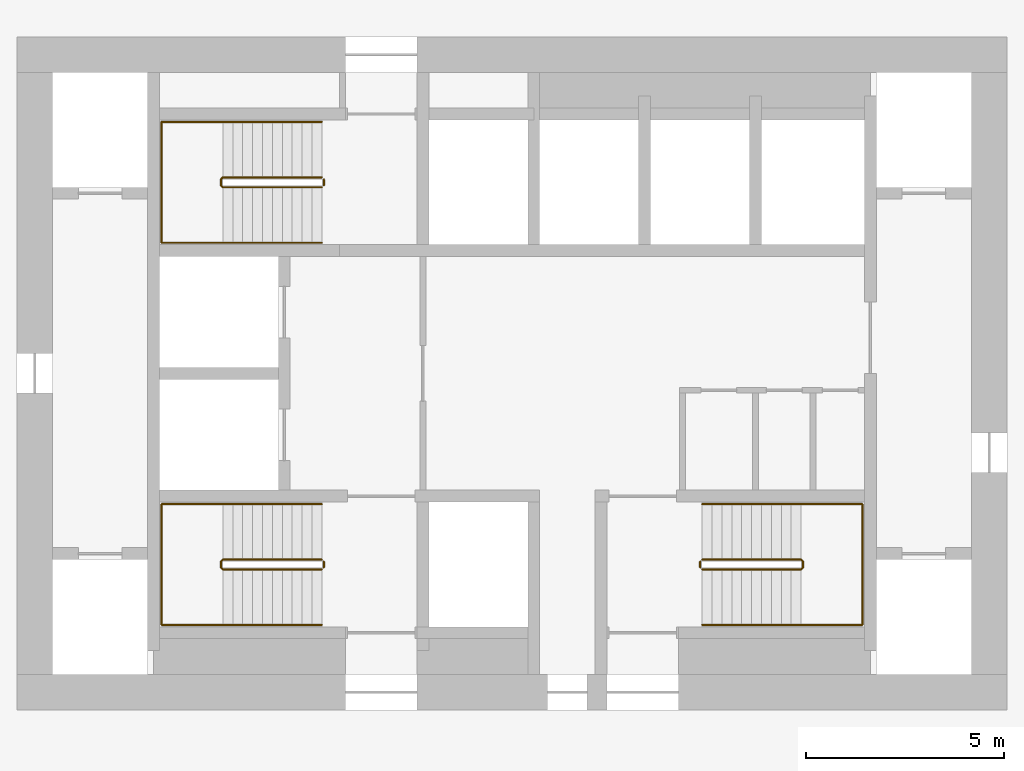
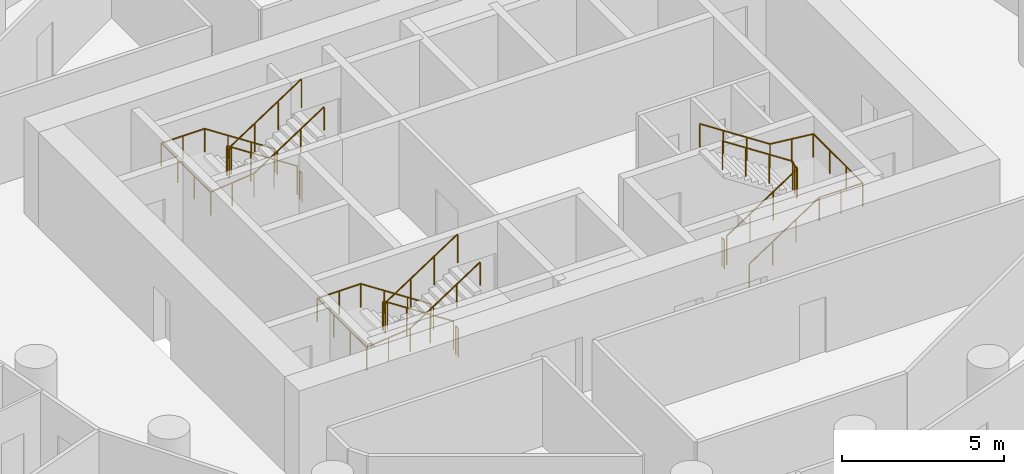
# One storey, part 10 of 10: 9 railings.
"""IFC4 building model written with IfcOpenShell, lengths in metres."""

from ifc_helpers import new_model, si_unit, direction, frame, origin, origin_2d, place, context, subcontext, project, spatial, circle, extrude, material, type_object, element, save


model = new_model("IFC4")

# Units and contexts
model_context = context("Model", 3, precision=1e-05, world=origin(), true_north=direction((0.0, 1.0)))
body_context = subcontext(model_context, "Body", "Model", "MODEL_VIEW")
ifc_project = project(units=[si_unit("LENGTHUNIT", "METRE"), si_unit("AREAUNIT", "SQUARE_METRE"), si_unit("VOLUMEUNIT", "CUBIC_METRE"), si_unit("PLANEANGLEUNIT", "RADIAN"), si_unit("MASSUNIT", "GRAM", prefix="KILO")], contexts=[model_context])

# Site, building, storey
site_placement = place(None, origin())
site = spatial("IfcSite", under=ifc_project, at=site_placement, CompositionType="ELEMENT")
building_placement = place(site_placement, origin())
building = spatial("IfcBuilding", under=site, at=building_placement, Name="Tracery Tower", CompositionType="ELEMENT")
storey_placement = place(building_placement, frame((0.0, 0.0, 140.39990234375)))
storey = spatial("IfcBuildingStorey", under=building, at=storey_placement, Name="L35", CompositionType="ELEMENT", Elevation=140.39990234375)

# Railings
ifc_material_1 = material(Name="Stainless steel and laminated glass", Category="steel")
railing_type_1 = type_object("IfcRailingType", Name="Stair guard 1100", PredefinedType="GUARDRAIL", material=ifc_material_1)
railing_1_placement = place(storey_placement, frame((-4.800048828125, -4.699951171875, 0.163818359375)))
element("IfcRailing", 1, at=railing_1_placement, inside=storey, type_object=railing_type_1, Name="L35 stair ST1 guard 1", PredefinedType="GUARDRAIL", context=body_context, shape_type="SweptSolid", body=[
    extrude(circle(Radius=0.02392578125, at=origin_2d()), frame((0.0, 0.0, 1.076171875), z_axis=(-0.836721939367, 0.0, 0.547627972425), x_axis=(0.0, -1.0, 0.0)), (0.0, 0.0, 1.0), 2.98779296875),
    extrude(circle(Radius=0.02392578125, at=origin_2d()), frame((-2.5, 0.0, 2.71240234375), z_axis=(-0.707106781187, -0.707106781187, 0.0), x_axis=(0.707106781187, -0.707106781187, 0.0)), (0.0, 0.0, 1.0), 0.07080078125),
    extrude(circle(Radius=0.02392578125, at=origin_2d()), frame((-2.550048828125, -0.050048828125, 2.71240234375), z_axis=(0.0, -1.0, 0.0), x_axis=(1.0, 0.0, 0.0)), (0.0, 0.0, 1.0), 0.14990234375),
    extrude(circle(Radius=0.02392578125, at=origin_2d()), frame((-2.550048828125, -0.199951171875, 2.71240234375), z_axis=(0.280808744504, -0.280808744504, 0.917765164963), x_axis=(0.707106781187, 0.707106781187, 0.0)), (0.0, 0.0, 1.0), 0.17822265625),
    extrude(circle(Radius=0.02392578125, at=origin_2d()), frame((-2.5, -0.25, 2.8759765625), z_axis=(0.83668449804, 0.0, 0.54768517484), x_axis=(0.0, 1.0, 0.0)), (0.0, 0.0, 1.0), 2.988037109375),
    extrude(circle(Radius=0.02099609375, at=origin_2d()), origin(), (0.0, 0.0, 1.0), 1.052001953125),
    extrude(circle(Radius=0.02099609375, at=origin_2d()), frame((-0.833251953125, 0.0, 0.54541015625)), (0.0, 0.0, 1.0), 1.052001953125),
    extrude(circle(Radius=0.02099609375, at=origin_2d()), frame((-1.666748046875, 0.0, 1.0908203125)), (0.0, 0.0, 1.0), 1.052001953125),
    extrude(circle(Radius=0.02099609375, at=origin_2d()), frame((-2.5, 0.0, 1.63623046875)), (0.0, 0.0, 1.0), 1.052001953125),
    extrude(circle(Radius=0.02099609375, at=origin_2d()), frame((-2.550048828125, -0.050048828125, 1.63623046875)), (0.0, 0.0, 1.0), 1.052001953125),
    extrude(circle(Radius=0.02099609375, at=origin_2d()), frame((-2.550048828125, -0.199951171875, 1.63623046875)), (0.0, 0.0, 1.0), 1.052001953125),
    extrude(circle(Radius=0.02099609375, at=origin_2d()), frame((-2.5, -0.25, 1.7998046875)), (0.0, 0.0, 1.0), 1.052001953125),
    extrude(circle(Radius=0.02099609375, at=origin_2d()), frame((-1.666748046875, -0.25, 2.34521484375)), (0.0, 0.0, 1.0), 1.052001953125),
    extrude(circle(Radius=0.02099609375, at=origin_2d()), frame((-0.833251953125, -0.25, 2.890869140625)), (0.0, 0.0, 1.0), 1.052001953125),
    extrude(circle(Radius=0.02099609375, at=origin_2d()), frame((0.0, -0.25, 3.436279296875)), (0.0, 0.0, 1.0), 1.052001953125),
])
railing_2_placement = place(storey_placement, frame((-4.75, -4.75, 0.0)))
element("IfcRailing", 2, at=railing_2_placement, inside=storey, type_object=railing_type_1, Name="L35 stair ST1 guard 2", PredefinedType="GUARDRAIL", context=body_context, shape_type="SweptSolid", body=[
    extrude(circle(Radius=0.02392578125, at=origin_2d()), frame((0.0, 0.0, 1.076171875), z_axis=(0.0, -1.0, 0.0), x_axis=(1.0, 0.0, 0.0)), (0.0, 0.0, 1.0), 0.14990234375),
    extrude(circle(Radius=0.02099609375, at=origin_2d()), origin(), (0.0, 0.0, 1.0), 1.052001953125),
    extrude(circle(Radius=0.02099609375, at=origin_2d()), frame((0.0, -0.14990234375, 0.0)), (0.0, 0.0, 1.0), 1.052001953125),
])
railing_3_placement = place(storey_placement, frame((-4.800048828125, 4.949951171875, 0.163818359375)))
element("IfcRailing", 3, at=railing_3_placement, inside=storey, type_object=railing_type_1, Name="L35 stair ST3 guard 1", PredefinedType="GUARDRAIL", context=body_context, shape_type="SweptSolid", body=[
    extrude(circle(Radius=0.02392578125, at=origin_2d()), frame((0.0, 0.0, 1.076171875), z_axis=(-0.836721939367, 0.0, 0.547627972425), x_axis=(0.0, -1.0, 0.0)), (0.0, 0.0, 1.0), 2.98779296875),
    extrude(circle(Radius=0.02392578125, at=origin_2d()), frame((-2.5, 0.0, 2.71240234375), z_axis=(-0.707106781187, -0.707106781187, 0.0), x_axis=(0.707106781187, -0.707106781187, 0.0)), (0.0, 0.0, 1.0), 0.07080078125),
    extrude(circle(Radius=0.02392578125, at=origin_2d()), frame((-2.550048828125, -0.050048828125, 2.71240234375), z_axis=(0.0, -1.0, 0.0), x_axis=(1.0, 0.0, 0.0)), (0.0, 0.0, 1.0), 0.14990234375),
    extrude(circle(Radius=0.02392578125, at=origin_2d()), frame((-2.550048828125, -0.199951171875, 2.71240234375), z_axis=(0.280808744504, -0.280808744504, 0.917765164963), x_axis=(0.707106781187, 0.707106781187, 0.0)), (0.0, 0.0, 1.0), 0.17822265625),
    extrude(circle(Radius=0.02392578125, at=origin_2d()), frame((-2.5, -0.25, 2.8759765625), z_axis=(0.83668449804, 0.0, 0.54768517484), x_axis=(0.0, 1.0, 0.0)), (0.0, 0.0, 1.0), 2.988037109375),
    extrude(circle(Radius=0.02099609375, at=origin_2d()), origin(), (0.0, 0.0, 1.0), 1.052001953125),
    extrude(circle(Radius=0.02099609375, at=origin_2d()), frame((-0.833251953125, 0.0, 0.54541015625)), (0.0, 0.0, 1.0), 1.052001953125),
    extrude(circle(Radius=0.02099609375, at=origin_2d()), frame((-1.666748046875, 0.0, 1.0908203125)), (0.0, 0.0, 1.0), 1.052001953125),
    extrude(circle(Radius=0.02099609375, at=origin_2d()), frame((-2.5, 0.0, 1.63623046875)), (0.0, 0.0, 1.0), 1.052001953125),
    extrude(circle(Radius=0.02099609375, at=origin_2d()), frame((-2.550048828125, -0.050048828125, 1.63623046875)), (0.0, 0.0, 1.0), 1.052001953125),
    extrude(circle(Radius=0.02099609375, at=origin_2d()), frame((-2.550048828125, -0.199951171875, 1.63623046875)), (0.0, 0.0, 1.0), 1.052001953125),
    extrude(circle(Radius=0.02099609375, at=origin_2d()), frame((-2.5, -0.25, 1.7998046875)), (0.0, 0.0, 1.0), 1.052001953125),
    extrude(circle(Radius=0.02099609375, at=origin_2d()), frame((-1.666748046875, -0.25, 2.34521484375)), (0.0, 0.0, 1.0), 1.052001953125),
    extrude(circle(Radius=0.02099609375, at=origin_2d()), frame((-0.833251953125, -0.25, 2.890869140625)), (0.0, 0.0, 1.0), 1.052001953125),
    extrude(circle(Radius=0.02099609375, at=origin_2d()), frame((0.0, -0.25, 3.436279296875)), (0.0, 0.0, 1.0), 1.052001953125),
])
railing_4_placement = place(storey_placement, frame((-4.75, 4.89990234375, 0.0)))
element("IfcRailing", 4, at=railing_4_placement, inside=storey, type_object=railing_type_1, Name="L35 stair ST3 guard 2", PredefinedType="GUARDRAIL", context=body_context, shape_type="SweptSolid", body=[
    extrude(circle(Radius=0.02392578125, at=origin_2d()), frame((0.0, 0.0, 1.076171875), z_axis=(0.0, -1.0, 0.0), x_axis=(1.0, 0.0, 0.0)), (0.0, 0.0, 1.0), 0.14990234375),
    extrude(circle(Radius=0.02099609375, at=origin_2d()), origin(), (0.0, 0.0, 1.0), 1.052001953125),
    extrude(circle(Radius=0.02099609375, at=origin_2d()), frame((0.0, -0.14990234375, 0.0)), (0.0, 0.0, 1.0), 1.052001953125),
])
railing_5_placement = place(storey_placement, frame((4.800048828125, -4.949951171875, 0.163818359375)))
element("IfcRailing", 5, at=railing_5_placement, inside=storey, type_object=railing_type_1, Name="L35 stair ST2 guard 1", PredefinedType="GUARDRAIL", context=body_context, shape_type="SweptSolid", body=[
    extrude(circle(Radius=0.02392578125, at=origin_2d()), frame((0.0, 0.0, 1.076171875), z_axis=(0.836721939367, 0.0, 0.547627972425), x_axis=(0.0, 1.0, 0.0)), (0.0, 0.0, 1.0), 2.98779296875),
    extrude(circle(Radius=0.02392578125, at=origin_2d()), frame((2.5, 0.0, 2.71240234375), z_axis=(0.707106781187, 0.707106781187, 0.0), x_axis=(-0.707106781187, 0.707106781187, 0.0)), (0.0, 0.0, 1.0), 0.07080078125),
    extrude(circle(Radius=0.02392578125, at=origin_2d()), frame((2.550048828125, 0.050048828125, 2.71240234375), z_axis=(0.0, 1.0, 0.0), x_axis=(-1.0, 0.0, 0.0)), (0.0, 0.0, 1.0), 0.14990234375),
    extrude(circle(Radius=0.02392578125, at=origin_2d()), frame((2.550048828125, 0.199951171875, 2.71240234375), z_axis=(-0.280808744504, 0.280808744504, 0.917765164963), x_axis=(-0.707106781187, -0.707106781187, 0.0)), (0.0, 0.0, 1.0), 0.17822265625),
    extrude(circle(Radius=0.02392578125, at=origin_2d()), frame((2.5, 0.25, 2.8759765625), z_axis=(-0.83668449804, 0.0, 0.54768517484), x_axis=(0.0, -1.0, 0.0)), (0.0, 0.0, 1.0), 2.988037109375),
    extrude(circle(Radius=0.02099609375, at=origin_2d()), origin(), (0.0, 0.0, 1.0), 1.052001953125),
    extrude(circle(Radius=0.02099609375, at=origin_2d()), frame((0.833251953125, 0.0, 0.54541015625)), (0.0, 0.0, 1.0), 1.052001953125),
    extrude(circle(Radius=0.02099609375, at=origin_2d()), frame((1.666748046875, 0.0, 1.0908203125)), (0.0, 0.0, 1.0), 1.052001953125),
    extrude(circle(Radius=0.02099609375, at=origin_2d()), frame((2.5, 0.0, 1.63623046875)), (0.0, 0.0, 1.0), 1.052001953125),
    extrude(circle(Radius=0.02099609375, at=origin_2d()), frame((2.550048828125, 0.050048828125, 1.63623046875)), (0.0, 0.0, 1.0), 1.052001953125),
    extrude(circle(Radius=0.02099609375, at=origin_2d()), frame((2.550048828125, 0.199951171875, 1.63623046875)), (0.0, 0.0, 1.0), 1.052001953125),
    extrude(circle(Radius=0.02099609375, at=origin_2d()), frame((2.5, 0.25, 1.7998046875)), (0.0, 0.0, 1.0), 1.052001953125),
    extrude(circle(Radius=0.02099609375, at=origin_2d()), frame((1.666748046875, 0.25, 2.34521484375)), (0.0, 0.0, 1.0), 1.052001953125),
    extrude(circle(Radius=0.02099609375, at=origin_2d()), frame((0.833251953125, 0.25, 2.890869140625)), (0.0, 0.0, 1.0), 1.052001953125),
    extrude(circle(Radius=0.02099609375, at=origin_2d()), frame((0.0, 0.25, 3.436279296875)), (0.0, 0.0, 1.0), 1.052001953125),
])
railing_6_placement = place(storey_placement, frame((4.75, -4.89990234375, 0.0)))
element("IfcRailing", 6, at=railing_6_placement, inside=storey, type_object=railing_type_1, Name="L35 stair ST2 guard 2", PredefinedType="GUARDRAIL", context=body_context, shape_type="SweptSolid", body=[
    extrude(circle(Radius=0.02392578125, at=origin_2d()), frame((0.0, 0.0, 1.076171875), z_axis=(0.0, 1.0, 0.0), x_axis=(-1.0, 0.0, 0.0)), (0.0, 0.0, 1.0), 0.14990234375),
    extrude(circle(Radius=0.02099609375, at=origin_2d()), origin(), (0.0, 0.0, 1.0), 1.052001953125),
    extrude(circle(Radius=0.02099609375, at=origin_2d()), frame((0.0, 0.14990234375, 0.0)), (0.0, 0.0, 1.0), 1.052001953125),
])
ifc_material_2 = material(Name="Stainless steel and laminated glass", Category="steel")
railing_type_2 = type_object("IfcRailingType", Name="Stair handrail 900", PredefinedType="HANDRAIL", material=ifc_material_2)
railing_7_placement = place(storey_placement, frame((-4.800048828125, -3.300048828125, 0.163818359375)))
element("IfcRailing", 7, at=railing_7_placement, inside=storey, type_object=railing_type_2, Name="L35 stair ST1 handrail 1", PredefinedType="HANDRAIL", context=body_context, shape_type="SweptSolid", body=[
    extrude(circle(Radius=0.02392578125, at=origin_2d()), frame((0.0, 0.0, 0.8759765625), z_axis=(-0.836721939367, 0.0, 0.547627972425), x_axis=(0.0, -1.0, 0.0)), (0.0, 0.0, 1.0), 2.98779296875),
    extrude(circle(Radius=0.02392578125, at=origin_2d()), frame((-2.5, 0.0, 2.51220703125), z_axis=(-1.0, 0.0, 0.0), x_axis=(0.0, -1.0, 0.0)), (0.0, 0.0, 1.0), 1.550048828125),
    extrude(circle(Radius=0.02392578125, at=origin_2d()), frame((-4.050048828125, 0.0, 2.51220703125), z_axis=(0.0, -1.0, 0.0), x_axis=(1.0, 0.0, 0.0)), (0.0, 0.0, 1.0), 3.050048828125),
    extrude(circle(Radius=0.02392578125, at=origin_2d()), frame((-4.050048828125, -3.050048828125, 2.51220703125), z_axis=(0.994477953863, 0.0, 0.104945696817), x_axis=(0.0, 1.0, 0.0)), (0.0, 0.0, 1.0), 1.55859375),
    extrude(circle(Radius=0.02392578125, at=origin_2d()), frame((-2.5, -3.050048828125, 2.67578125), z_axis=(0.83668449804, 0.0, 0.54768517484), x_axis=(0.0, 1.0, 0.0)), (0.0, 0.0, 1.0), 2.988037109375),
    extrude(circle(Radius=0.02099609375, at=origin_2d()), origin(), (0.0, 0.0, 1.0), 0.851806640625),
    extrude(circle(Radius=0.02099609375, at=origin_2d()), frame((-0.833251953125, 0.0, 0.54541015625)), (0.0, 0.0, 1.0), 0.851806640625),
    extrude(circle(Radius=0.02099609375, at=origin_2d()), frame((-1.666748046875, 0.0, 1.0908203125)), (0.0, 0.0, 1.0), 0.851806640625),
    extrude(circle(Radius=0.02099609375, at=origin_2d()), frame((-2.5, 0.0, 1.63623046875)), (0.0, 0.0, 1.0), 0.851806640625),
    extrude(circle(Radius=0.02099609375, at=origin_2d()), frame((-3.27490234375, 0.0, 1.63623046875)), (0.0, 0.0, 1.0), 0.851806640625),
    extrude(circle(Radius=0.02099609375, at=origin_2d()), frame((-4.050048828125, 0.0, 1.63623046875)), (0.0, 0.0, 1.0), 0.851806640625),
    extrude(circle(Radius=0.02099609375, at=origin_2d()), frame((-4.050048828125, -1.0166015625, 1.63623046875)), (0.0, 0.0, 1.0), 0.851806640625),
    extrude(circle(Radius=0.02099609375, at=origin_2d()), frame((-4.050048828125, -2.033447265625, 1.63623046875)), (0.0, 0.0, 1.0), 0.851806640625),
    extrude(circle(Radius=0.02099609375, at=origin_2d()), frame((-4.050048828125, -3.050048828125, 1.63623046875)), (0.0, 0.0, 1.0), 0.851806640625),
    extrude(circle(Radius=0.02099609375, at=origin_2d()), frame((-3.27490234375, -3.050048828125, 1.718017578125)), (0.0, 0.0, 1.0), 0.851806640625),
    extrude(circle(Radius=0.02099609375, at=origin_2d()), frame((-2.5, -3.050048828125, 1.7998046875)), (0.0, 0.0, 1.0), 0.851806640625),
    extrude(circle(Radius=0.02099609375, at=origin_2d()), frame((-1.666748046875, -3.050048828125, 2.34521484375)), (0.0, 0.0, 1.0), 0.851806640625),
    extrude(circle(Radius=0.02099609375, at=origin_2d()), frame((-0.833251953125, -3.050048828125, 2.890869140625)), (0.0, 0.0, 1.0), 0.851806640625),
    extrude(circle(Radius=0.02099609375, at=origin_2d()), frame((0.0, -3.050048828125, 3.436279296875)), (0.0, 0.0, 1.0), 0.851806640625),
])
railing_8_placement = place(storey_placement, frame((-4.800048828125, 6.35009765625, 0.163818359375)))
element("IfcRailing", 8, at=railing_8_placement, inside=storey, type_object=railing_type_2, Name="L35 stair ST3 handrail 1", PredefinedType="HANDRAIL", context=body_context, shape_type="SweptSolid", body=[
    extrude(circle(Radius=0.02392578125, at=origin_2d()), frame((0.0, 0.0, 0.8759765625), z_axis=(-0.836721939367, 0.0, 0.547627972425), x_axis=(0.0, -1.0, 0.0)), (0.0, 0.0, 1.0), 2.98779296875),
    extrude(circle(Radius=0.02392578125, at=origin_2d()), frame((-2.5, 0.0, 2.51220703125), z_axis=(-1.0, 0.0, 0.0), x_axis=(0.0, -1.0, 0.0)), (0.0, 0.0, 1.0), 1.550048828125),
    extrude(circle(Radius=0.02392578125, at=origin_2d()), frame((-4.050048828125, 0.0, 2.51220703125), z_axis=(0.0, -1.0, 0.0), x_axis=(1.0, 0.0, 0.0)), (0.0, 0.0, 1.0), 3.050048828125),
    extrude(circle(Radius=0.02392578125, at=origin_2d()), frame((-4.050048828125, -3.050048828125, 2.51220703125), z_axis=(0.994477953863, 0.0, 0.104945696817), x_axis=(0.0, 1.0, 0.0)), (0.0, 0.0, 1.0), 1.55859375),
    extrude(circle(Radius=0.02392578125, at=origin_2d()), frame((-2.5, -3.050048828125, 2.67578125), z_axis=(0.83668449804, 0.0, 0.54768517484), x_axis=(0.0, 1.0, 0.0)), (0.0, 0.0, 1.0), 2.988037109375),
    extrude(circle(Radius=0.02099609375, at=origin_2d()), origin(), (0.0, 0.0, 1.0), 0.851806640625),
    extrude(circle(Radius=0.02099609375, at=origin_2d()), frame((-0.833251953125, 0.0, 0.54541015625)), (0.0, 0.0, 1.0), 0.851806640625),
    extrude(circle(Radius=0.02099609375, at=origin_2d()), frame((-1.666748046875, 0.0, 1.0908203125)), (0.0, 0.0, 1.0), 0.851806640625),
    extrude(circle(Radius=0.02099609375, at=origin_2d()), frame((-2.5, 0.0, 1.63623046875)), (0.0, 0.0, 1.0), 0.851806640625),
    extrude(circle(Radius=0.02099609375, at=origin_2d()), frame((-3.27490234375, 0.0, 1.63623046875)), (0.0, 0.0, 1.0), 0.851806640625),
    extrude(circle(Radius=0.02099609375, at=origin_2d()), frame((-4.050048828125, 0.0, 1.63623046875)), (0.0, 0.0, 1.0), 0.851806640625),
    extrude(circle(Radius=0.02099609375, at=origin_2d()), frame((-4.050048828125, -1.0166015625, 1.63623046875)), (0.0, 0.0, 1.0), 0.851806640625),
    extrude(circle(Radius=0.02099609375, at=origin_2d()), frame((-4.050048828125, -2.033447265625, 1.63623046875)), (0.0, 0.0, 1.0), 0.851806640625),
    extrude(circle(Radius=0.02099609375, at=origin_2d()), frame((-4.050048828125, -3.050048828125, 1.63623046875)), (0.0, 0.0, 1.0), 0.851806640625),
    extrude(circle(Radius=0.02099609375, at=origin_2d()), frame((-3.27490234375, -3.050048828125, 1.718017578125)), (0.0, 0.0, 1.0), 0.851806640625),
    extrude(circle(Radius=0.02099609375, at=origin_2d()), frame((-2.5, -3.050048828125, 1.7998046875)), (0.0, 0.0, 1.0), 0.851806640625),
    extrude(circle(Radius=0.02099609375, at=origin_2d()), frame((-1.666748046875, -3.050048828125, 2.34521484375)), (0.0, 0.0, 1.0), 0.851806640625),
    extrude(circle(Radius=0.02099609375, at=origin_2d()), frame((-0.833251953125, -3.050048828125, 2.890869140625)), (0.0, 0.0, 1.0), 0.851806640625),
    extrude(circle(Radius=0.02099609375, at=origin_2d()), frame((0.0, -3.050048828125, 3.436279296875)), (0.0, 0.0, 1.0), 0.851806640625),
])
railing_9_placement = place(storey_placement, frame((4.800048828125, -6.35009765625, 0.163818359375)))
element("IfcRailing", 9, at=railing_9_placement, inside=storey, type_object=railing_type_2, Name="L35 stair ST2 handrail 1", PredefinedType="HANDRAIL", context=body_context, shape_type="SweptSolid", body=[
    extrude(circle(Radius=0.02392578125, at=origin_2d()), frame((0.0, 0.0, 0.8759765625), z_axis=(0.836721939367, 0.0, 0.547627972425), x_axis=(0.0, 1.0, 0.0)), (0.0, 0.0, 1.0), 2.98779296875),
    extrude(circle(Radius=0.02392578125, at=origin_2d()), frame((2.5, 0.0, 2.51220703125), z_axis=(1.0, 0.0, 0.0), x_axis=(0.0, 1.0, 0.0)), (0.0, 0.0, 1.0), 1.550048828125),
    extrude(circle(Radius=0.02392578125, at=origin_2d()), frame((4.050048828125, 0.0, 2.51220703125), z_axis=(0.0, 1.0, 0.0), x_axis=(-1.0, 0.0, 0.0)), (0.0, 0.0, 1.0), 3.050048828125),
    extrude(circle(Radius=0.02392578125, at=origin_2d()), frame((4.050048828125, 3.050048828125, 2.51220703125), z_axis=(-0.994477953863, 0.0, 0.104945696817), x_axis=(0.0, -1.0, 0.0)), (0.0, 0.0, 1.0), 1.55859375),
    extrude(circle(Radius=0.02392578125, at=origin_2d()), frame((2.5, 3.050048828125, 2.67578125), z_axis=(-0.83668449804, 0.0, 0.54768517484), x_axis=(0.0, -1.0, 0.0)), (0.0, 0.0, 1.0), 2.988037109375),
    extrude(circle(Radius=0.02099609375, at=origin_2d()), origin(), (0.0, 0.0, 1.0), 0.851806640625),
    extrude(circle(Radius=0.02099609375, at=origin_2d()), frame((0.833251953125, 0.0, 0.54541015625)), (0.0, 0.0, 1.0), 0.851806640625),
    extrude(circle(Radius=0.02099609375, at=origin_2d()), frame((1.666748046875, 0.0, 1.0908203125)), (0.0, 0.0, 1.0), 0.851806640625),
    extrude(circle(Radius=0.02099609375, at=origin_2d()), frame((2.5, 0.0, 1.63623046875)), (0.0, 0.0, 1.0), 0.851806640625),
    extrude(circle(Radius=0.02099609375, at=origin_2d()), frame((3.27490234375, 0.0, 1.63623046875)), (0.0, 0.0, 1.0), 0.851806640625),
    extrude(circle(Radius=0.02099609375, at=origin_2d()), frame((4.050048828125, 0.0, 1.63623046875)), (0.0, 0.0, 1.0), 0.851806640625),
    extrude(circle(Radius=0.02099609375, at=origin_2d()), frame((4.050048828125, 1.0166015625, 1.63623046875)), (0.0, 0.0, 1.0), 0.851806640625),
    extrude(circle(Radius=0.02099609375, at=origin_2d()), frame((4.050048828125, 2.033447265625, 1.63623046875)), (0.0, 0.0, 1.0), 0.851806640625),
    extrude(circle(Radius=0.02099609375, at=origin_2d()), frame((4.050048828125, 3.050048828125, 1.63623046875)), (0.0, 0.0, 1.0), 0.851806640625),
    extrude(circle(Radius=0.02099609375, at=origin_2d()), frame((3.27490234375, 3.050048828125, 1.718017578125)), (0.0, 0.0, 1.0), 0.851806640625),
    extrude(circle(Radius=0.02099609375, at=origin_2d()), frame((2.5, 3.050048828125, 1.7998046875)), (0.0, 0.0, 1.0), 0.851806640625),
    extrude(circle(Radius=0.02099609375, at=origin_2d()), frame((1.666748046875, 3.050048828125, 2.34521484375)), (0.0, 0.0, 1.0), 0.851806640625),
    extrude(circle(Radius=0.02099609375, at=origin_2d()), frame((0.833251953125, 3.050048828125, 2.890869140625)), (0.0, 0.0, 1.0), 0.851806640625),
    extrude(circle(Radius=0.02099609375, at=origin_2d()), frame((0.0, 3.050048828125, 3.436279296875)), (0.0, 0.0, 1.0), 0.851806640625),
])

save(model, "model.ifc")
